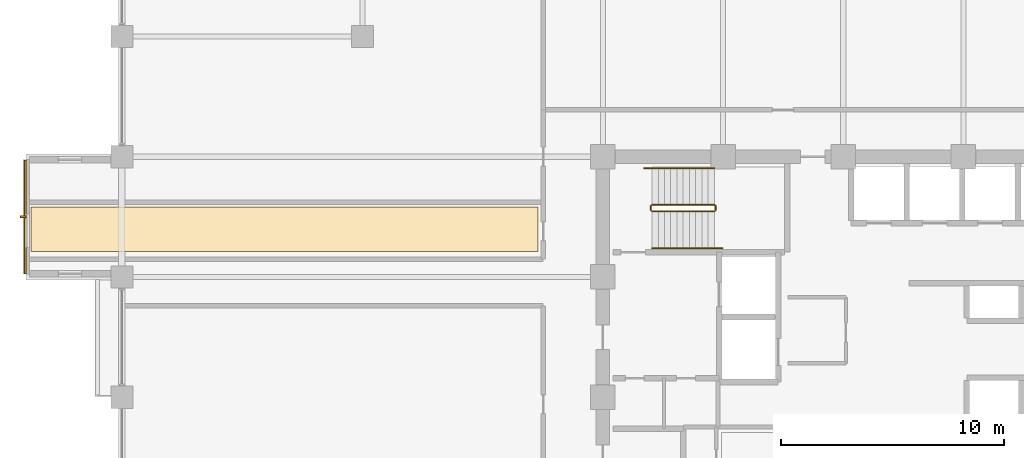
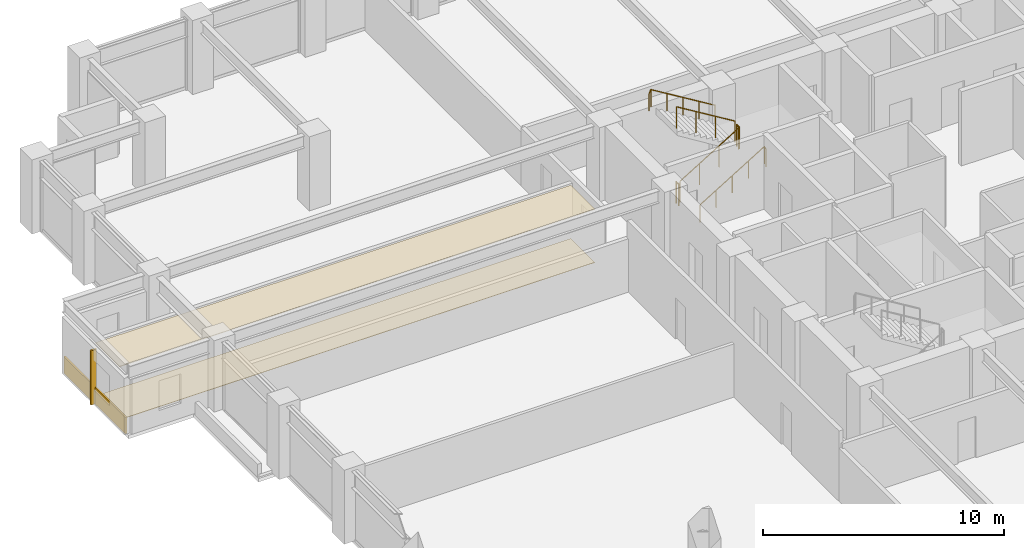
# One storey, part 27 of 29: 6 railings, 3 coverings, 1 shading device.
"""IFC4 building model written with IfcOpenShell, lengths in metres."""

from ifc_helpers import new_model, si_unit, direction, frame, origin, origin_2d, place, context, subcontext, project, spatial, polyline, rectangle, circle, outline, extrude, material, layer, layer_set, type_object, element, save


model = new_model("IFC4")

# Units and contexts
model_context = context("Model", 3, precision=1e-05, world=origin(), true_north=direction((0.0, 1.0)))
body_context = subcontext(model_context, "Body", "Model", "MODEL_VIEW")
ifc_project = project(units=[si_unit("LENGTHUNIT", "METRE"), si_unit("AREAUNIT", "SQUARE_METRE"), si_unit("VOLUMEUNIT", "CUBIC_METRE"), si_unit("PLANEANGLEUNIT", "RADIAN"), si_unit("MASSUNIT", "GRAM", prefix="KILO")], contexts=[model_context])

# Site, building, storey
site_placement = place(None, origin())
site = spatial("IfcSite", under=ifc_project, at=site_placement, CompositionType="ELEMENT")
building_placement = place(site_placement, origin())
building = spatial("IfcBuilding", under=site, at=building_placement, Name="Surkhivell Harbour Commons", CompositionType="ELEMENT")
storey_placement = place(building_placement, frame((0.0, 0.0, 150.75)))
storey = spatial("IfcBuildingStorey", under=building, at=storey_placement, Name="L39", CompositionType="ELEMENT", Elevation=150.75)

# Coverings
ifc_material_1 = material(Name="Moisture-resistant gypsum acoustic ceiling board", Category="other")
ifc_layer_1 = layer(ifc_material_1, 0.030029296875)
ifc_layer_set_1 = layer_set([ifc_layer_1], Name="Moisture-resistant gypsum acoustic ceiling board")
covering_type_1 = type_object("IfcCoveringType", Name="COV-CEIL-GYP", PredefinedType="CEILING", material=ifc_layer_set_1)
covering_1_placement = place(storey_placement, frame((0.0, 0.0, 2.68896484375)))
element("IfcCovering", 1, at=covering_1_placement, inside=storey, type_object=covering_type_1, Name="L39 Suspended Acoustic Ceiling 2", PredefinedType="CEILING", context=body_context, shape_type="SweptSolid", body=[
    extrude(outline(polyline([(-13.719970703125, 6.5400390625), (-13.719970703125, 8.530029296875), (-36.489990234375, 8.530029296875), (-36.489990234375, 6.5400390625), (-13.719970703125, 6.5400390625)])), origin(), (0.0, 0.0, 1.0), 0.030029296875),
])
ifc_material_2 = material(Name="Vermilion-coral enamelled aluminium cassette panel", Category="aluminium")
ifc_layer_2 = layer(ifc_material_2, 0.074951171875)
ifc_layer_set_2 = layer_set([ifc_layer_2], Name="Vermilion-coral enamelled aluminium cassette panel")
covering_type_2 = type_object("IfcCoveringType", Name="COV-CLAD-VER", PredefinedType="CLADDING", material=ifc_layer_set_2)
covering_2_placement = place(storey_placement, frame((-36.739990234375, 8.10009765625, 0.0), z_axis=(0.0, 0.0, 1.0), x_axis=(1.0, 0.0, 0.0)))
element("IfcCovering", 2, at=covering_2_placement, inside=storey, type_object=covering_type_2, Name="L39 Coloured-Panel Box Spandrel Cassette 02", PredefinedType="CLADDING", context=body_context, shape_type="SweptSolid", body=[
    extrude(rectangle(XDim=0.080078125, YDim=5.10009765625, at=origin_2d()), origin(), (0.0, 0.0, 1.0), 0.840087890625),
])
ifc_material_3 = material(Name="Engineered acoustic oak timber flooring", Category="wood")
ifc_layer_3 = layer(ifc_material_3, 0.02001953125)
ifc_layer_set_3 = layer_set([ifc_layer_3], Name="Engineered acoustic oak timber flooring")
covering_type_3 = type_object("IfcCoveringType", Name="COV-FLR-TIM", PredefinedType="FLOORING", material=ifc_layer_set_3)
covering_3_placement = place(storey_placement, origin())
element("IfcCovering", 3, at=covering_3_placement, inside=storey, type_object=covering_type_3, Name="L39 Interior Floor Finish 2", PredefinedType="FLOORING", context=body_context, shape_type="SweptSolid", body=[
    extrude(outline(polyline([(-13.719970703125, 6.5400390625), (-13.719970703125, 8.530029296875), (-36.489990234375, 8.530029296875), (-36.489990234375, 6.5400390625), (-13.719970703125, 6.5400390625)])), origin(), (0.0, 0.0, 1.0), 0.02001953125),
])

# Railings
ifc_material_4 = material(Name="Galvanised and painted steel S355 guard rail", Category="steel")
railing_type_1 = type_object("IfcRailingType", Name="RAL-ST-GRD1100", PredefinedType="GUARDRAIL", material=ifc_material_4)
railing_1_placement = place(storey_placement, frame((-8.590087890625, 8.340087890625, 0.17041015625)))
element("IfcRailing", 4, at=railing_1_placement, inside=storey, type_object=railing_type_1, Name="L39 ST1 stair guard 1", PredefinedType="GUARDRAIL", context=body_context, shape_type="SweptSolid", body=[
    extrude(circle(Radius=0.02392578125, at=origin_2d()), frame((0.0, 0.0, 1.076171875), z_axis=(0.854169791009, 0.0, 0.51999420009), x_axis=(0.0, 1.0, 0.0)), (0.0, 0.0, 1.0), 3.278076171875),
    extrude(circle(Radius=0.02099609375, at=origin_2d()), origin(), (0.0, 0.0, 1.0), 1.052001953125),
    extrude(circle(Radius=0.02099609375, at=origin_2d()), frame((0.933349609375, 0.0, 0.568115234375)), (0.0, 0.0, 1.0), 1.052001953125),
    extrude(circle(Radius=0.02099609375, at=origin_2d()), frame((1.86669921875, 0.0, 1.136474609375)), (0.0, 0.0, 1.0), 1.052001953125),
    extrude(circle(Radius=0.02099609375, at=origin_2d()), frame((2.800048828125, 0.0, 1.70458984375)), (0.0, 0.0, 1.0), 1.052001953125),
])
railing_2_placement = place(storey_placement, frame((-5.739990234375, 8.389892578125, 1.875)))
element("IfcRailing", 5, at=railing_2_placement, inside=storey, type_object=railing_type_1, Name="L39 ST1 stair guard 2", PredefinedType="GUARDRAIL", context=body_context, shape_type="SweptSolid", body=[
    extrude(circle(Radius=0.02392578125, at=origin_2d()), frame((0.0, 0.0, 1.076171875), z_axis=(0.0, 1.0, 0.0), x_axis=(-1.0, 0.0, 0.0)), (0.0, 0.0, 1.0), 0.2001953125),
    extrude(circle(Radius=0.02099609375, at=origin_2d()), origin(), (0.0, 0.0, 1.0), 1.052001953125),
    extrude(circle(Radius=0.02099609375, at=origin_2d()), frame((0.0, 0.2001953125, 0.0)), (0.0, 0.0, 1.0), 1.052001953125),
])
railing_3_placement = place(storey_placement, frame((-5.7900390625, 8.639892578125, 2.04541015625)))
element("IfcRailing", 6, at=railing_3_placement, inside=storey, type_object=railing_type_1, Name="L39 ST1 stair guard 3", PredefinedType="GUARDRAIL", context=body_context, shape_type="SweptSolid", body=[
    extrude(circle(Radius=0.02392578125, at=origin_2d()), frame((0.0, 0.0, 1.076171875), z_axis=(-0.854169791009, 0.0, 0.51999420009), x_axis=(0.0, -1.0, 0.0)), (0.0, 0.0, 1.0), 3.278076171875),
    extrude(circle(Radius=0.02099609375, at=origin_2d()), origin(), (0.0, 0.0, 1.0), 1.052001953125),
    extrude(circle(Radius=0.02099609375, at=origin_2d()), frame((-0.933349609375, 0.0, 0.568115234375)), (0.0, 0.0, 1.0), 1.052001953125),
    extrude(circle(Radius=0.02099609375, at=origin_2d()), frame((-1.86669921875, 0.0, 1.136474609375)), (0.0, 0.0, 1.0), 1.052001953125),
    extrude(circle(Radius=0.02099609375, at=origin_2d()), frame((-2.800048828125, 0.0, 1.70458984375)), (0.0, 0.0, 1.0), 1.052001953125),
])
railing_4_placement = place(storey_placement, frame((-8.639892578125, 8.389892578125, 0.0)))
element("IfcRailing", 7, at=railing_4_placement, inside=storey, type_object=railing_type_1, Name="L39 ST1 stair guard 4", PredefinedType="GUARDRAIL", context=body_context, shape_type="SweptSolid", body=[
    extrude(circle(Radius=0.02392578125, at=origin_2d()), frame((0.0, 0.0, 1.076171875), z_axis=(0.0, 1.0, 0.0), x_axis=(-1.0, 0.0, 0.0)), (0.0, 0.0, 1.0), 0.2001953125),
    extrude(circle(Radius=0.02099609375, at=origin_2d()), origin(), (0.0, 0.0, 1.0), 1.052001953125),
    extrude(circle(Radius=0.02099609375, at=origin_2d()), frame((0.0, 0.2001953125, 0.0)), (0.0, 0.0, 1.0), 1.052001953125),
])
ifc_material_5 = material(Name="Brushed stainless steel S355 handrail", Category="steel")
railing_type_2 = type_object("IfcRailingType", Name="RAL-ST-HND900", PredefinedType="HANDRAIL", material=ifc_material_5)
railing_5_placement = place(storey_placement, frame((-8.590087890625, 6.68994140625, 0.17041015625)))
element("IfcRailing", 8, at=railing_5_placement, inside=storey, type_object=railing_type_2, Name="L39 ST1 stair handrail 1", PredefinedType="HANDRAIL", context=body_context, shape_type="SweptSolid", body=[
    extrude(circle(Radius=0.02392578125, at=origin_2d()), frame((0.0, 0.0, 0.8759765625), z_axis=(0.854177636135, 0.0, 0.519981313056), x_axis=(0.0, 1.0, 0.0)), (0.0, 0.0, 1.0), 3.60595703125),
    extrude(circle(Radius=0.02392578125, at=origin_2d()), frame((3.080078125, 0.0, 2.7509765625), z_axis=(0.425297416671, 0.0, -0.905053648892), x_axis=(0.0, 1.0, 0.0)), (0.0, 0.0, 1.0), 0.188232421875),
    extrude(circle(Radius=0.02099609375, at=origin_2d()), origin(), (0.0, 0.0, 1.0), 0.851806640625),
    extrude(circle(Radius=0.02099609375, at=origin_2d()), frame((0.77001953125, 0.0, 0.46875)), (0.0, 0.0, 1.0), 0.851806640625),
    extrude(circle(Radius=0.02099609375, at=origin_2d()), frame((1.5400390625, 0.0, 0.9375)), (0.0, 0.0, 1.0), 0.851806640625),
    extrude(circle(Radius=0.02099609375, at=origin_2d()), frame((2.31005859375, 0.0, 1.40625)), (0.0, 0.0, 1.0), 0.851806640625),
    extrude(circle(Radius=0.02099609375, at=origin_2d()), frame((3.080078125, 0.0, 1.875)), (0.0, 0.0, 1.0), 0.851806640625),
    extrude(circle(Radius=0.02099609375, at=origin_2d()), frame((3.16015625, 0.0, 1.70458984375)), (0.0, 0.0, 1.0), 0.851806640625),
])
railing_6_placement = place(storey_placement, frame((-5.7900390625, 10.2900390625, 2.04541015625)))
element("IfcRailing", 9, at=railing_6_placement, inside=storey, type_object=railing_type_2, Name="L39 ST1 stair handrail 2", PredefinedType="HANDRAIL", context=body_context, shape_type="SweptSolid", body=[
    extrude(circle(Radius=0.02392578125, at=origin_2d()), frame((0.0, 0.0, 0.8759765625), z_axis=(-0.854177636135, 0.0, 0.519981313056), x_axis=(0.0, -1.0, 0.0)), (0.0, 0.0, 1.0), 3.60595703125),
    extrude(circle(Radius=0.02392578125, at=origin_2d()), frame((-3.080078125, 0.0, 2.7509765625), z_axis=(-0.424234432967, 0.0, -0.905552398199), x_axis=(0.0, -1.0, 0.0)), (0.0, 0.0, 1.0), 0.188232421875),
    extrude(circle(Radius=0.02099609375, at=origin_2d()), origin(), (0.0, 0.0, 1.0), 0.851806640625),
    extrude(circle(Radius=0.02099609375, at=origin_2d()), frame((-0.77001953125, 0.0, 0.46875)), (0.0, 0.0, 1.0), 0.851806640625),
    extrude(circle(Radius=0.02099609375, at=origin_2d()), frame((-1.5400390625, 0.0, 0.9375)), (0.0, 0.0, 1.0), 0.851806640625),
    extrude(circle(Radius=0.02099609375, at=origin_2d()), frame((-2.31005859375, 0.0, 1.40625)), (0.0, 0.0, 1.0), 0.851806640625),
    extrude(circle(Radius=0.02099609375, at=origin_2d()), frame((-3.080078125, 0.0, 1.875)), (0.0, 0.0, 1.0), 0.851806640625),
    extrude(circle(Radius=0.02099609375, at=origin_2d()), frame((-3.159912109375, 0.0, 1.70458984375)), (0.0, 0.0, 1.0), 0.851806640625),
])

# Shading device
ifc_material_6 = material(Name="Champagne anodised aluminium solar fin", Category="aluminium")
shading_device_type = type_object("IfcShadingDeviceType", Name="SHD-FIN-SLIM", PredefinedType="USERDEFINED", material=ifc_material_6)
shading_device_placement = place(storey_placement, frame((-36.840087890625, 8.10009765625, 0.0048828125), z_axis=(0.0, 0.0, 1.0), x_axis=(1.0, 0.0, 0.0)))
element("IfcShadingDevice", 10, at=shading_device_placement, inside=storey, type_object=shading_device_type, Name="L39 Coloured-Box Solar Fin 02", ObjectType="FIN", PredefinedType="USERDEFINED", context=body_context, shape_type="SweptSolid", body=[
    extrude(rectangle(XDim=0.280029296875, YDim=0.080078125, at=origin_2d()), origin(), (0.0, 0.0, 1.0), 2.75),
])

save(model, "model.ifc")
